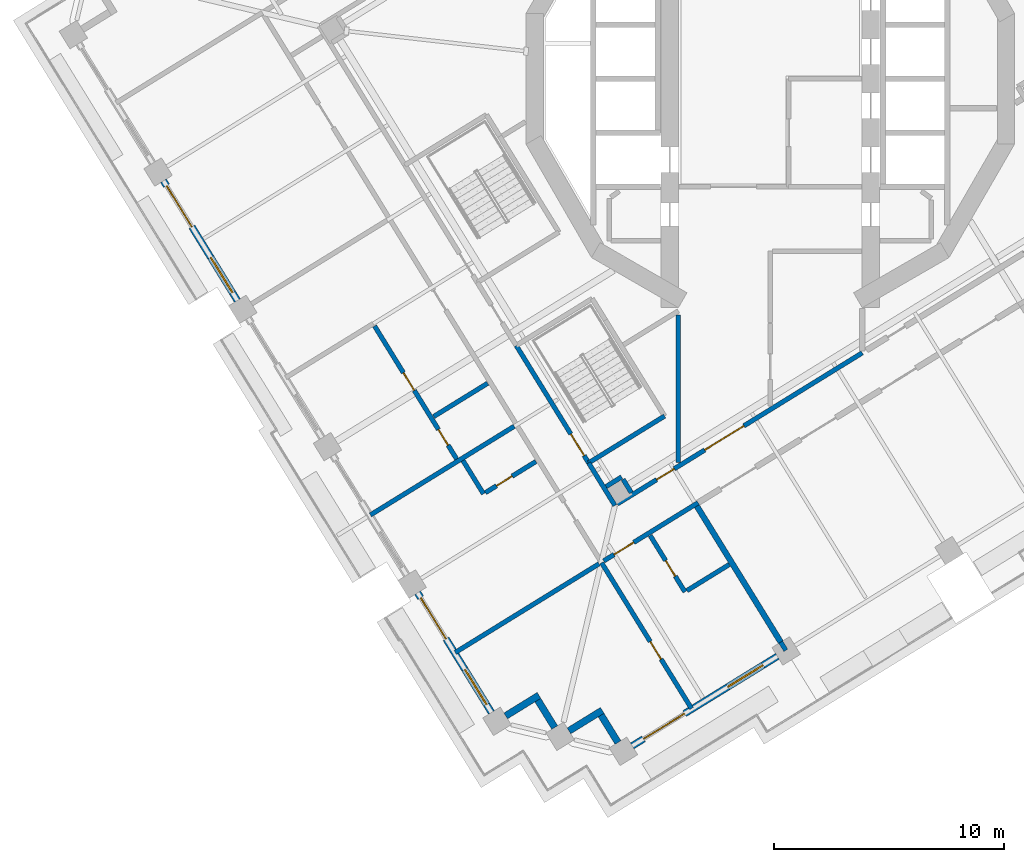
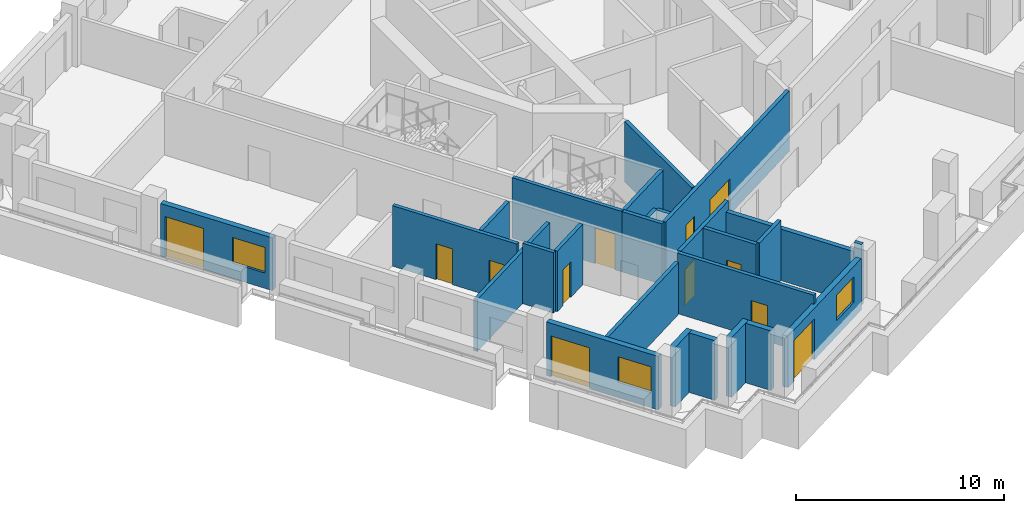
# One storey, part 4 of 21: 26 walls, 12 doors, 3 windows, 15 openings.
"""IFC4 building model written with IfcOpenShell, lengths in metres."""

from ifc_helpers import new_model, si_unit, direction, frame, frame_2d, origin, place, context, subcontext, project, spatial, rectangle, extrude, material, layer, layer_set, type_object, element, fill, save


model = new_model("IFC4")

# Units and contexts
model_context = context("Model", 3, precision=1e-05, world=origin(), true_north=direction((0.0, 1.0)))
body_context = subcontext(model_context, "Body", "Model", "MODEL_VIEW")
ifc_project = project(units=[si_unit("LENGTHUNIT", "METRE"), si_unit("AREAUNIT", "SQUARE_METRE"), si_unit("VOLUMEUNIT", "CUBIC_METRE"), si_unit("PLANEANGLEUNIT", "RADIAN"), si_unit("MASSUNIT", "GRAM", prefix="KILO")], contexts=[model_context])

# Site, building, storey
site_placement = place(None, origin())
site = spatial("IfcSite", under=ifc_project, at=site_placement, CompositionType="ELEMENT")
building_placement = place(site_placement, origin())
building = spatial("IfcBuilding", under=site, at=building_placement, Name="Cantera Rosa Tower", CompositionType="ELEMENT")
storey_placement = place(building_placement, frame((0.0, 0.0, 170.39990234375)))
storey = spatial("IfcBuildingStorey", under=building, at=storey_placement, Name="L37", CompositionType="ELEMENT", Elevation=170.39990234375)

# Wall
ifc_material_1 = material(Name="Gypsum board partition")
ifc_layer_1 = layer(ifc_material_1, 0.199951171875)
ifc_layer_set_1 = layer_set([ifc_layer_1], Name="CORRIDOR WALL 200 H3550")
wall_type_1 = type_object("IfcWallType", Name="CORRIDOR WALL 200 H3550", PredefinedType="PARTITIONING", material=ifc_layer_set_1)
wall_1_placement = place(storey_placement, frame((-7.9033203125, -16.7119140625, 0.0), z_axis=(0.0, 0.0, 1.0), x_axis=(0.525036414636, -0.851079763187, 0.0)))
element("IfcWall", 1, at=wall_1_placement, inside=storey, type_object=wall_type_1, Name="CORRIDOR WALL L37-026", PredefinedType="PARTITIONING", context=body_context, shape_type="SweptSolid", body=[
    extrude(rectangle(XDim=2.17529296875, YDim=0.199951171875, at=frame_2d((1.087646484375, 0.0))), origin(), (0.0, 0.0, 1.0), 3.550048828125),
])

# Wall, opening, door
wall_2_placement = place(storey_placement, frame((-7.246337890625, -20.977294921875, 0.0), z_axis=(0.0, 0.0, 1.0), x_axis=(0.851124523941, 0.524963850894, 0.0)))
wall_2 = element("IfcWall", 2, at=wall_2_placement, inside=storey, type_object=wall_type_1, Name="CORRIDOR WALL L37-035", PredefinedType="PARTITIONING", context=body_context, shape_type="SweptSolid", body=[
    extrude(rectangle(XDim=4.824951171875, YDim=0.199951171875, at=frame_2d((2.41259765625, 0.0))), origin(), (0.0, 0.0, 1.0), 3.550048828125),
])
opening_1_placement = place(wall_2_placement, frame((0.530029296875, 0.0, 0.0)))
opening_1 = element("IfcOpeningElement", 3, at=opening_1_placement, cuts=wall_2, Name="Opening L37-052", PredefinedType="OPENING", context=body_context, shape_type="SweptSolid", body=[
    extrude(rectangle(XDim=1.0, YDim=2.10009765625, at=frame_2d((0.5, 1.050048828125))), frame((0.0, 0.10986328125, 0.0), z_axis=(0.0, -1.0, 0.0), x_axis=(1.0, 0.0, 0.0)), (0.0, 0.0, 1.0), 0.219970703125),
])
ifc_material_2 = material(Name="Timber door leaf", Category="wood")
door_type_1 = type_object("IfcDoorType", Name="ENTRANCE DOOR 1000x2100", OperationType="NOTDEFINED", PredefinedType="DOOR", material=ifc_material_2)
door_1_placement = place(opening_1_placement, origin())
door_1 = element("IfcDoor", 4, at=door_1_placement, inside=storey, type_object=door_type_1, Name="DOOR L37-052", OperationType="NOTDEFINED", OverallHeight=2.10009765625, OverallWidth=1.0, PredefinedType="DOOR", context=body_context, shape_type="SweptSolid", body=[
    extrude(rectangle(XDim=1.0, YDim=2.10009765625, at=frame_2d((0.5, 1.050048828125))), frame((0.0, 0.02490234375, 0.0), z_axis=(0.0, -1.0, 0.0), x_axis=(1.0, 0.0, 0.0)), (0.0, 0.0, 1.0), 0.050048828125),
])
fill(opening_1, door_1)

# Wall, openings, doors
wall_3_placement = place(storey_placement, frame((-6.6591796875, -18.500244140625, 0.0), z_axis=(0.0, 0.0, 1.0), x_axis=(0.851115705413, 0.524978148116, 0.0)))
wall_3 = element("IfcWall", 5, at=wall_3_placement, inside=storey, type_object=wall_type_1, Name="CORRIDOR WALL L37-041", PredefinedType="PARTITIONING", context=body_context, shape_type="SweptSolid", body=[
    extrude(rectangle(XDim=12.523681640625, YDim=0.199951171875, at=frame_2d((6.26171875, 0.0))), origin(), (0.0, 0.0, 1.0), 3.550048828125),
])
opening_2_placement = place(wall_3_placement, frame((2.01513671875, 0.0, 0.0)))
opening_2 = element("IfcOpeningElement", 6, at=opening_2_placement, cuts=wall_3, Name="Opening L37-008", PredefinedType="OPENING", context=body_context, shape_type="SweptSolid", body=[
    extrude(rectangle(XDim=0.89990234375, YDim=2.10009765625, at=frame_2d((0.449951171875, 1.050048828125))), frame((0.0, 0.10986328125, 0.0), z_axis=(0.0, -1.0, 0.0), x_axis=(1.0, 0.0, 0.0)), (0.0, 0.0, 1.0), 0.219970703125),
])
opening_3_placement = place(wall_3_placement, frame((4.47412109375, 0.0, 0.0)))
opening_3 = element("IfcOpeningElement", 7, at=opening_3_placement, cuts=wall_3, Name="Opening L37-013", PredefinedType="OPENING", context=body_context, shape_type="SweptSolid", body=[
    extrude(rectangle(XDim=2.0, YDim=2.10009765625, at=frame_2d((1.0, 1.050048828125))), frame((0.0, 0.10986328125, 0.0), z_axis=(0.0, -1.0, 0.0), x_axis=(1.0, 0.0, 0.0)), (0.0, 0.0, 1.0), 0.219970703125),
])
ifc_material_3 = material(Name="Steel S355J2 (EN 10025-2)", Category="steel")
door_type_2 = type_object("IfcDoorType", Name="LOBBY SCREEN DOOR 2000x2100", OperationType="NOTDEFINED", PredefinedType="DOOR", material=ifc_material_3)
door_2_placement = place(opening_3_placement, origin())
door_2 = element("IfcDoor", 8, at=door_2_placement, inside=storey, type_object=door_type_2, Name="DOOR L37-013", OperationType="NOTDEFINED", OverallHeight=2.10009765625, OverallWidth=2.0, PredefinedType="DOOR", context=body_context, shape_type="SweptSolid", body=[
    extrude(rectangle(XDim=2.0, YDim=2.10009765625, at=frame_2d((1.0, 1.050048828125))), frame((0.0, 0.02490234375, 0.0), z_axis=(0.0, -1.0, 0.0), x_axis=(1.0, 0.0, 0.0)), (0.0, 0.0, 1.0), 0.050048828125),
])
fill(opening_3, door_2)
ifc_material_4 = material(Name="Timber door leaf", Category="wood")
door_type_3 = type_object("IfcDoorType", Name="SERVICE DOOR 900x2100", OperationType="NOTDEFINED", PredefinedType="DOOR", material=ifc_material_4)
door_3_placement = place(opening_2_placement, origin())
door_3 = element("IfcDoor", 9, at=door_3_placement, inside=storey, type_object=door_type_3, Name="DOOR L37-008", OperationType="NOTDEFINED", OverallHeight=2.10009765625, OverallWidth=0.89990234375, PredefinedType="DOOR", context=body_context, shape_type="SweptSolid", body=[
    extrude(rectangle(XDim=0.89990234375, YDim=2.10009765625, at=frame_2d((0.449951171875, 1.050048828125))), frame((0.0, 0.02490234375, 0.0), z_axis=(0.0, -1.0, 0.0), x_axis=(1.0, 0.0, 0.0)), (0.0, 0.0, 1.0), 0.050048828125),
])
fill(opening_2, door_3)

# Walls
wall_4_placement = place(storey_placement, frame((-4.0, -10.274169921875, 0.0), z_axis=(0.0, 0.0, 1.0), x_axis=(0.0, -1.0, 0.0)))
element("IfcWall", 10, at=wall_4_placement, inside=storey, type_object=wall_type_1, Name="CORRIDOR WALL L37-052", PredefinedType="PARTITIONING", context=body_context, shape_type="SweptSolid", body=[
    extrude(rectangle(XDim=6.426025390625, YDim=0.199951171875, at=frame_2d((3.212890625, 0.0))), origin(), (0.0, 0.0, 1.0), 3.550048828125),
])
ifc_material_5 = material(Name="Hollow clay masonry with cantera stone cladding", Category="masonry")
ifc_layer_2 = layer(ifc_material_5, 0.300048828125)
ifc_layer_set_2 = layer_set([ifc_layer_2], Name="EW-LOGGIA 300")
wall_type_2 = type_object("IfcWallType", Name="EW-LOGGIA 300", PredefinedType="SOLIDWALL", material=ifc_layer_set_2)
wall_5_placement = place(storey_placement, frame((-11.51123046875, -27.72021484375, 0.0), z_axis=(0.0, 0.0, 1.0), x_axis=(0.851130227454, 0.524954603669, 0.0)))
element("IfcWall", 11, at=wall_5_placement, inside=storey, type_object=wall_type_2, Name="EN-L37-W20a", PredefinedType="SOLIDWALL", context=body_context, shape_type="SweptSolid", body=[
    extrude(rectangle(XDim=1.699951171875, YDim=0.300048828125, at=frame_2d((0.85009765625, 0.0))), origin(), (0.0, 0.0, 1.0), 3.5),
])
wall_6_placement = place(storey_placement, frame((-10.11328125, -27.0341796875, 0.0), z_axis=(0.0, 0.0, 1.0), x_axis=(0.524895019961, -0.85116697423, 0.0)))
element("IfcWall", 12, at=wall_6_placement, inside=storey, type_object=wall_type_2, Name="EN-L37-W20b", PredefinedType="SOLIDWALL", context=body_context, shape_type="SweptSolid", body=[
    extrude(rectangle(XDim=1.39990234375, YDim=0.300048828125, at=frame_2d((0.699951171875, 0.0))), origin(), (0.0, 0.0, 1.0), 3.5),
])
wall_7_placement = place(storey_placement, frame((-8.75927734375, -28.37255859375, 0.0), z_axis=(0.0, 0.0, 1.0), x_axis=(0.851105638601, 0.524994468487, 0.0)))
element("IfcWall", 13, at=wall_7_placement, inside=storey, type_object=wall_type_2, Name="EN-L37-W21a", PredefinedType="SOLIDWALL", context=body_context, shape_type="SweptSolid", body=[
    extrude(rectangle(XDim=1.7001953125, YDim=0.300048828125, at=frame_2d((0.85009765625, 0.0))), origin(), (0.0, 0.0, 1.0), 3.5),
])
wall_8_placement = place(storey_placement, frame((-7.361083984375, -27.6865234375, 0.0), z_axis=(0.0, 0.0, 1.0), x_axis=(0.524895019961, -0.85116697423, 0.0)))
element("IfcWall", 14, at=wall_8_placement, inside=storey, type_object=wall_type_2, Name="EN-L37-W21b", PredefinedType="SOLIDWALL", context=body_context, shape_type="SweptSolid", body=[
    extrude(rectangle(XDim=1.39990234375, YDim=0.300048828125, at=frame_2d((0.699951171875, 0.0))), origin(), (0.0, 0.0, 1.0), 3.5),
])

# Wall, openings, window, door
ifc_material_6 = material(Name="Hollow clay masonry with cantera stone cladding", Category="masonry")
ifc_layer_3 = layer(ifc_material_6, 0.300048828125)
ifc_layer_set_3 = layer_set([ifc_layer_3], Name="EW-LOGGIA 300 H3020")
wall_type_3 = type_object("IfcWallType", Name="EW-LOGGIA 300 H3020", PredefinedType="SOLIDWALL", material=ifc_layer_set_3)
wall_9_placement = place(storey_placement, frame((-6.007080078125, -29.02490234375, 0.0), z_axis=(0.0, 0.0, 1.0), x_axis=(0.851111085575, 0.524985637909, 0.0)))
wall_9 = element("IfcWall", 15, at=wall_9_placement, inside=storey, type_object=wall_type_3, Name="EN-L37-W22", PredefinedType="SOLIDWALL", context=body_context, shape_type="SweptSolid", body=[
    extrude(rectangle(XDim=7.420166015625, YDim=0.300048828125, at=frame_2d((3.7099609375, 0.0))), origin(), (0.0, 0.0, 1.0), 3.02001953125),
])
opening_4_placement = place(wall_9_placement, frame((0.580078125, 0.0, 0.0)))
opening_4 = element("IfcOpeningElement", 16, at=opening_4_placement, cuts=wall_9, Name="Opening L37-TD31", PredefinedType="OPENING", context=body_context, shape_type="SweptSolid", body=[
    extrude(rectangle(XDim=2.10009765625, YDim=2.39990234375, at=frame_2d((1.050048828125, 1.199951171875))), frame((0.0, 0.159912109375, 0.0), z_axis=(0.0, -1.0, 0.0), x_axis=(1.0, 0.0, 0.0)), (0.0, 0.0, 1.0), 0.320068359375),
])
opening_5_placement = place(wall_9_placement, frame((4.889892578125, 0.0, 0.89990234375)))
opening_5 = element("IfcOpeningElement", 17, at=opening_5_placement, cuts=wall_9, Name="Opening L37-W32", PredefinedType="OPENING", context=body_context, shape_type="SweptSolid", body=[
    extrude(rectangle(XDim=1.800048828125, YDim=1.5, at=frame_2d((0.89990234375, 0.75))), frame((0.0, 0.159912109375, 0.0), z_axis=(0.0, -1.0, 0.0), x_axis=(1.0, 0.0, 0.0)), (0.0, 0.0, 1.0), 0.320068359375),
])
ifc_material_7 = material(Name="Aluminium frame with clear glass", Category="aluminium")
window_type = type_object("IfcWindowType", Name="Hotel room window 1800x1500", PartitioningType="DOUBLE_PANEL_VERTICAL", PredefinedType="WINDOW", material=ifc_material_7)
window_1_placement = place(opening_5_placement, origin())
window_1 = element("IfcWindow", 18, at=window_1_placement, inside=storey, type_object=window_type, Name="WINDOW L37-W32", OverallHeight=1.5, OverallWidth=1.800048828125, PartitioningType="SINGLE_PANEL", PredefinedType="WINDOW", context=body_context, shape_type="SweptSolid", body=[
    extrude(rectangle(XDim=1.800048828125, YDim=1.5, at=frame_2d((0.89990234375, 0.75))), frame((0.0, 0.030029296875, 0.0), z_axis=(0.0, -1.0, 0.0), x_axis=(1.0, 0.0, 0.0)), (0.0, 0.0, 1.0), 0.06005859375),
])
fill(opening_5, window_1)
ifc_material_8 = material(Name="Aluminium frame with clear glass", Category="aluminium")
door_type_4 = type_object("IfcDoorType", Name="TD-H 2100x2400", OperationType="NOTDEFINED", PredefinedType="DOOR", material=ifc_material_8)
door_4_placement = place(opening_4_placement, origin())
door_4 = element("IfcDoor", 19, at=door_4_placement, inside=storey, type_object=door_type_4, Name="LOGGIA DOOR L37-TD31", OperationType="SLIDING_TO_LEFT", OverallHeight=2.39990234375, OverallWidth=2.10009765625, PredefinedType="DOOR", context=body_context, shape_type="SweptSolid", body=[
    extrude(rectangle(XDim=2.10009765625, YDim=2.39990234375, at=frame_2d((1.050048828125, 1.199951171875))), frame((0.0, 0.02490234375, 0.0), z_axis=(0.0, -1.0, 0.0), x_axis=(1.0, 0.0, 0.0)), (0.0, 0.0, 1.0), 0.050048828125),
])
fill(opening_4, door_4)

ifc_material_9 = material(Name="Hollow clay masonry with cantera stone cladding", Category="masonry")
ifc_layer_4 = layer(ifc_material_9, 0.300048828125)
ifc_layer_set_4 = layer_set([ifc_layer_4], Name="EW-LOGGIA 300 H3090")
wall_type_4 = type_object("IfcWallType", Name="EW-LOGGIA 300 H3090", PredefinedType="SOLIDWALL", material=ifc_layer_set_4)
wall_10_placement = place(storey_placement, frame((-26.3994140625, -4.440185546875, 0.0), z_axis=(0.0, 0.0, 1.0), x_axis=(0.524987447654, -0.851109969279, 0.0)))
wall_10 = element("IfcWall", 20, at=wall_10_placement, inside=storey, type_object=wall_type_4, Name="EN-L37-W16", PredefinedType="SOLIDWALL", context=body_context, shape_type="SweptSolid", body=[
    extrude(rectangle(XDim=6.119873046875, YDim=0.300048828125, at=frame_2d((3.06005859375, 0.0))), origin(), (0.0, 0.0, 1.0), 3.090087890625),
])
opening_6_placement = place(wall_10_placement, frame((0.2548828125, 0.0, 0.0)))
opening_6 = element("IfcOpeningElement", 21, at=opening_6_placement, cuts=wall_10, Name="Opening L37-TD23", PredefinedType="OPENING", context=body_context, shape_type="SweptSolid", body=[
    extrude(rectangle(XDim=2.10009765625, YDim=2.39990234375, at=frame_2d((1.050048828125, 1.199951171875))), frame((0.0, 0.159912109375, 0.0), z_axis=(0.0, -1.0, 0.0), x_axis=(1.0, 0.0, 0.0)), (0.0, 0.0, 1.0), 0.320068359375),
])
opening_7_placement = place(wall_10_placement, frame((3.9150390625, 0.0, 0.89990234375)))
opening_7 = element("IfcOpeningElement", 22, at=opening_7_placement, cuts=wall_10, Name="Opening L37-W24", PredefinedType="OPENING", context=body_context, shape_type="SweptSolid", body=[
    extrude(rectangle(XDim=1.800048828125, YDim=1.5, at=frame_2d((0.89990234375, 0.75))), frame((0.0, 0.159912109375, 0.0), z_axis=(0.0, -1.0, 0.0), x_axis=(1.0, 0.0, 0.0)), (0.0, 0.0, 1.0), 0.320068359375),
])
window_2_placement = place(opening_7_placement, origin())
window_2 = element("IfcWindow", 23, at=window_2_placement, inside=storey, type_object=window_type, Name="WINDOW L37-W24", OverallHeight=1.5, OverallWidth=1.800048828125, PartitioningType="SINGLE_PANEL", PredefinedType="WINDOW", context=body_context, shape_type="SweptSolid", body=[
    extrude(rectangle(XDim=1.800048828125, YDim=1.5, at=frame_2d((0.89990234375, 0.75))), frame((0.0, 0.030029296875, 0.0), z_axis=(0.0, -1.0, 0.0), x_axis=(1.0, 0.0, 0.0)), (0.0, 0.0, 1.0), 0.06005859375),
])
fill(opening_7, window_2)
door_5_placement = place(opening_6_placement, origin())
door_5 = element("IfcDoor", 24, at=door_5_placement, inside=storey, type_object=door_type_4, Name="LOGGIA DOOR L37-TD23", OperationType="SLIDING_TO_LEFT", OverallHeight=2.39990234375, OverallWidth=2.10009765625, PredefinedType="DOOR", context=body_context, shape_type="SweptSolid", body=[
    extrude(rectangle(XDim=2.10009765625, YDim=2.39990234375, at=frame_2d((1.050048828125, 1.199951171875))), frame((0.0, 0.02490234375, 0.0), z_axis=(0.0, -1.0, 0.0), x_axis=(1.0, 0.0, 0.0)), (0.0, 0.0, 1.0), 0.050048828125),
])
fill(opening_6, door_5)

ifc_material_10 = material(Name="Hollow clay masonry with cantera stone cladding", Category="masonry")
ifc_layer_5 = layer(ifc_material_10, 0.300048828125)
ifc_layer_set_5 = layer_set([ifc_layer_5], Name="EW-LOGGIA 300 H3140")
wall_type_5 = type_object("IfcWallType", Name="EW-LOGGIA 300 H3140", PredefinedType="SOLIDWALL", material=ifc_layer_set_5)
wall_11_placement = place(storey_placement, frame((-15.343505859375, -22.36474609375, 0.0), z_axis=(0.0, 0.0, 1.0), x_axis=(0.524987447654, -0.851109969279, 0.0)))
wall_11 = element("IfcWall", 25, at=wall_11_placement, inside=storey, type_object=wall_type_5, Name="EN-L37-W19", PredefinedType="SOLIDWALL", context=body_context, shape_type="SweptSolid", body=[
    extrude(rectangle(XDim=6.119873046875, YDim=0.300048828125, at=frame_2d((3.06005859375, 0.0))), origin(), (0.0, 0.0, 1.0), 3.14013671875),
])
opening_8_placement = place(wall_11_placement, frame((0.2548828125, 0.0, 0.0)))
opening_8 = element("IfcOpeningElement", 26, at=opening_8_placement, cuts=wall_11, Name="Opening L37-TD29", PredefinedType="OPENING", context=body_context, shape_type="SweptSolid", body=[
    extrude(rectangle(XDim=2.10009765625, YDim=2.39990234375, at=frame_2d((1.050048828125, 1.199951171875))), frame((0.0, 0.159912109375, 0.0), z_axis=(0.0, -1.0, 0.0), x_axis=(1.0, 0.0, 0.0)), (0.0, 0.0, 1.0), 0.320068359375),
])
opening_9_placement = place(wall_11_placement, frame((3.9150390625, 0.0, 0.89990234375)))
opening_9 = element("IfcOpeningElement", 27, at=opening_9_placement, cuts=wall_11, Name="Opening L37-W30", PredefinedType="OPENING", context=body_context, shape_type="SweptSolid", body=[
    extrude(rectangle(XDim=1.800048828125, YDim=1.5, at=frame_2d((0.89990234375, 0.75))), frame((0.0, 0.159912109375, 0.0), z_axis=(0.0, -1.0, 0.0), x_axis=(1.0, 0.0, 0.0)), (0.0, 0.0, 1.0), 0.320068359375),
])
window_3_placement = place(opening_9_placement, origin())
window_3 = element("IfcWindow", 28, at=window_3_placement, inside=storey, type_object=window_type, Name="WINDOW L37-W30", OverallHeight=1.5, OverallWidth=1.800048828125, PartitioningType="SINGLE_PANEL", PredefinedType="WINDOW", context=body_context, shape_type="SweptSolid", body=[
    extrude(rectangle(XDim=1.800048828125, YDim=1.5, at=frame_2d((0.89990234375, 0.75))), frame((0.0, 0.030029296875, 0.0), z_axis=(0.0, -1.0, 0.0), x_axis=(1.0, 0.0, 0.0)), (0.0, 0.0, 1.0), 0.06005859375),
])
fill(opening_9, window_3)
door_6_placement = place(opening_8_placement, origin())
door_6 = element("IfcDoor", 29, at=door_6_placement, inside=storey, type_object=door_type_4, Name="LOGGIA DOOR L37-TD29", OperationType="SLIDING_TO_LEFT", OverallHeight=2.39990234375, OverallWidth=2.10009765625, PredefinedType="DOOR", context=body_context, shape_type="SweptSolid", body=[
    extrude(rectangle(XDim=2.10009765625, YDim=2.39990234375, at=frame_2d((1.050048828125, 1.199951171875))), frame((0.0, 0.02490234375, 0.0), z_axis=(0.0, -1.0, 0.0), x_axis=(1.0, 0.0, 0.0)), (0.0, 0.0, 1.0), 0.050048828125),
])
fill(opening_8, door_6)

# Wall
ifc_material_11 = material(Name="Concrete C40/50", Category="concrete")
ifc_layer_6 = layer(ifc_material_11, 0.25)
ifc_layer_set_6 = layer_set([ifc_layer_6], Name="EW-POCKET CHEEK 250 H3020")
wall_type_6 = type_object("IfcWallType", Name="EW-POCKET CHEEK 250 H3020", PredefinedType="SOLIDWALL", material=ifc_layer_set_6)
wall_12_placement = place(storey_placement, frame((0.455078125, -24.51025390625, 0.0), z_axis=(0.0, 0.0, 1.0), x_axis=(-0.524984984735, 0.851111488468, 0.0)))
element("IfcWall", 30, at=wall_12_placement, inside=storey, type_object=wall_type_6, Name="POCKET CHEEK A L37", PredefinedType="SOLIDWALL", context=body_context, shape_type="SweptSolid", body=[
    extrude(rectangle(XDim=6.949951171875, YDim=0.25, at=frame_2d((3.47509765625, 0.0))), origin(), (0.0, 0.0, 1.0), 3.02001953125),
])

# Wall, openings, doors
ifc_material_12 = material(Name="Gypsum board partition")
ifc_layer_7 = layer(ifc_material_12, 0.199951171875)
ifc_layer_set_7 = layer_set([ifc_layer_7], Name="PARTITION 200 H3550")
wall_type_7 = type_object("IfcWallType", Name="PARTITION 200 H3550", PredefinedType="PARTITIONING", material=ifc_layer_set_7)
wall_13_placement = place(storey_placement, frame((-17.214599609375, -10.75927734375, 0.0), z_axis=(0.0, 0.0, 1.0), x_axis=(0.524974538192, -0.851117932046, 0.0)))
wall_13 = element("IfcWall", 31, at=wall_13_placement, inside=storey, type_object=wall_type_7, Name="PARTITION L37-011", PredefinedType="PARTITIONING", context=body_context, shape_type="SweptSolid", body=[
    extrude(rectangle(XDim=6.800048828125, YDim=0.199951171875, at=frame_2d((3.39990234375, 0.0))), origin(), (0.0, 0.0, 1.0), 3.550048828125),
])
opening_10_placement = place(wall_13_placement, frame((2.389892578125, 0.0, 0.0)))
opening_10 = element("IfcOpeningElement", 32, at=opening_10_placement, cuts=wall_13, Name="Opening L37-045", PredefinedType="OPENING", context=body_context, shape_type="SweptSolid", body=[
    extrude(rectangle(XDim=0.89990234375, YDim=2.10009765625, at=frame_2d((0.449951171875, 1.050048828125))), frame((0.0, 0.10986328125, 0.0), z_axis=(0.0, -1.0, 0.0), x_axis=(1.0, 0.0, 0.0)), (0.0, 0.0, 1.0), 0.219970703125),
])
opening_11_placement = place(wall_13_placement, frame((5.2900390625, 0.0, 0.0)))
opening_11 = element("IfcOpeningElement", 33, at=opening_11_placement, cuts=wall_13, Name="Opening L37-046", PredefinedType="OPENING", context=body_context, shape_type="SweptSolid", body=[
    extrude(rectangle(XDim=0.800048828125, YDim=2.10009765625, at=frame_2d((0.39990234375, 1.050048828125))), frame((0.0, 0.10986328125, 0.0), z_axis=(0.0, -1.0, 0.0), x_axis=(1.0, 0.0, 0.0)), (0.0, 0.0, 1.0), 0.219970703125),
])
ifc_material_13 = material(Name="Timber door leaf", Category="wood")
door_type_5 = type_object("IfcDoorType", Name="BATHROOM DOOR 800x2100", OperationType="NOTDEFINED", PredefinedType="DOOR", material=ifc_material_13)
door_7_placement = place(opening_11_placement, origin())
door_7 = element("IfcDoor", 34, at=door_7_placement, inside=storey, type_object=door_type_5, Name="DOOR L37-046", OperationType="NOTDEFINED", OverallHeight=2.10009765625, OverallWidth=0.800048828125, PredefinedType="DOOR", context=body_context, shape_type="SweptSolid", body=[
    extrude(rectangle(XDim=0.800048828125, YDim=2.10009765625, at=frame_2d((0.39990234375, 1.050048828125))), frame((0.0, 0.02490234375, 0.0), z_axis=(0.0, -1.0, 0.0), x_axis=(1.0, 0.0, 0.0)), (0.0, 0.0, 1.0), 0.050048828125),
])
fill(opening_11, door_7)
ifc_material_14 = material(Name="Timber door leaf", Category="wood")
door_type_6 = type_object("IfcDoorType", Name="ROOM DOOR 900x2100", OperationType="NOTDEFINED", PredefinedType="DOOR", material=ifc_material_14)
door_8_placement = place(opening_10_placement, origin())
door_8 = element("IfcDoor", 35, at=door_8_placement, inside=storey, type_object=door_type_6, Name="DOOR L37-045", OperationType="NOTDEFINED", OverallHeight=2.10009765625, OverallWidth=0.89990234375, PredefinedType="DOOR", context=body_context, shape_type="SweptSolid", body=[
    extrude(rectangle(XDim=0.89990234375, YDim=2.10009765625, at=frame_2d((0.449951171875, 1.050048828125))), frame((0.0, 0.02490234375, 0.0), z_axis=(0.0, -1.0, 0.0), x_axis=(1.0, 0.0, 0.0)), (0.0, 0.0, 1.0), 0.050048828125),
])
fill(opening_10, door_8)

# Walls
wall_14_placement = place(storey_placement, frame((-14.64501953125, -14.6962890625, 0.0), z_axis=(0.0, 0.0, 1.0), x_axis=(0.851129367012, 0.524955998737, 0.0)))
element("IfcWall", 36, at=wall_14_placement, inside=storey, type_object=wall_type_7, Name="PARTITION L37-014", PredefinedType="PARTITIONING", context=body_context, shape_type="SweptSolid", body=[
    extrude(rectangle(XDim=2.759765625, YDim=0.199951171875, at=frame_2d((1.3798828125, 0.0))), origin(), (0.0, 0.0, 1.0), 3.550048828125),
])
wall_15_placement = place(storey_placement, frame((-12.477294921875, -18.058837890625, 0.0), z_axis=(0.0, 0.0, 1.0), x_axis=(-0.524954603669, 0.851130227454, 0.0)))
element("IfcWall", 37, at=wall_15_placement, inside=storey, type_object=wall_type_7, Name="PARTITION L37-018", PredefinedType="PARTITIONING", context=body_context, shape_type="SweptSolid", body=[
    extrude(rectangle(XDim=1.699951171875, YDim=0.199951171875, at=frame_2d((0.85009765625, 0.0))), origin(), (0.0, 0.0, 1.0), 3.550048828125),
])

# Wall, opening, door
wall_16_placement = place(storey_placement, frame((-10.1962890625, -16.65185546875, 0.0), z_axis=(0.0, 0.0, 1.0), x_axis=(-0.851098989685, -0.525005247362, 0.0)))
wall_16 = element("IfcWall", 38, at=wall_16_placement, inside=storey, type_object=wall_type_7, Name="PARTITION L37-024", PredefinedType="PARTITIONING", context=body_context, shape_type="SweptSolid", body=[
    extrude(rectangle(XDim=2.580078125, YDim=0.199951171875, at=frame_2d((1.2900390625, 0.0))), origin(), (0.0, 0.0, 1.0), 3.550048828125),
])
opening_12_placement = place(wall_16_placement, frame((1.216064453125, 0.0, 0.0)))
opening_12 = element("IfcOpeningElement", 39, at=opening_12_placement, cuts=wall_16, Name="Opening L37-048", PredefinedType="OPENING", context=body_context, shape_type="SweptSolid", body=[
    extrude(rectangle(XDim=0.800048828125, YDim=2.10009765625, at=frame_2d((0.39990234375, 1.050048828125))), frame((0.0, 0.10986328125, 0.0), z_axis=(0.0, -1.0, 0.0), x_axis=(1.0, 0.0, 0.0)), (0.0, 0.0, 1.0), 0.219970703125),
])
door_9_placement = place(opening_12_placement, origin())
door_9 = element("IfcDoor", 40, at=door_9_placement, inside=storey, type_object=door_type_5, Name="DOOR L37-048", OperationType="NOTDEFINED", OverallHeight=2.10009765625, OverallWidth=0.800048828125, PredefinedType="DOOR", context=body_context, shape_type="SweptSolid", body=[
    extrude(rectangle(XDim=0.800048828125, YDim=2.10009765625, at=frame_2d((0.39990234375, 1.050048828125))), frame((0.0, 0.02490234375, 0.0), z_axis=(0.0, -1.0, 0.0), x_axis=(1.0, 0.0, 0.0)), (0.0, 0.0, 1.0), 0.050048828125),
])
fill(opening_12, door_9)

wall_17_placement = place(storey_placement, frame((-7.337890625, -21.057373046875, 0.0), z_axis=(0.0, 0.0, 1.0), x_axis=(0.524982084645, -0.851113277303, 0.0)))
wall_17 = element("IfcWall", 41, at=wall_17_placement, inside=storey, type_object=wall_type_7, Name="PARTITION L37-034", PredefinedType="PARTITIONING", context=body_context, shape_type="SweptSolid", body=[
    extrude(rectangle(XDim=7.449951171875, YDim=0.199951171875, at=frame_2d((3.72509765625, 0.0))), origin(), (0.0, 0.0, 1.0), 3.550048828125),
])
opening_13_placement = place(wall_17_placement, frame((4.030029296875, 0.0, 0.0)))
opening_13 = element("IfcOpeningElement", 42, at=opening_13_placement, cuts=wall_17, Name="Opening L37-054", PredefinedType="OPENING", context=body_context, shape_type="SweptSolid", body=[
    extrude(rectangle(XDim=0.89990234375, YDim=2.10009765625, at=frame_2d((0.449951171875, 1.050048828125))), frame((0.0, 0.10986328125, 0.0), z_axis=(0.0, -1.0, 0.0), x_axis=(1.0, 0.0, 0.0)), (0.0, 0.0, 1.0), 0.219970703125),
])
door_10_placement = place(opening_13_placement, origin())
door_10 = element("IfcDoor", 43, at=door_10_placement, inside=storey, type_object=door_type_6, Name="DOOR L37-054", OperationType="NOTDEFINED", OverallHeight=2.10009765625, OverallWidth=0.89990234375, PredefinedType="DOOR", context=body_context, shape_type="SweptSolid", body=[
    extrude(rectangle(XDim=0.89990234375, YDim=2.10009765625, at=frame_2d((0.449951171875, 1.050048828125))), frame((0.0, 0.02490234375, 0.0), z_axis=(0.0, -1.0, 0.0), x_axis=(1.0, 0.0, 0.0)), (0.0, 0.0, 1.0), 0.050048828125),
])
fill(opening_13, door_10)

# Walls
wall_18_placement = place(storey_placement, frame((-6.4677734375, -17.32470703125, 0.0), z_axis=(0.0, 0.0, 1.0), x_axis=(-0.85101860469, -0.525135539144, 0.0)))
element("IfcWall", 44, at=wall_18_placement, inside=storey, type_object=wall_type_7, Name="PARTITION L37-042", PredefinedType="PARTITIONING", context=body_context, shape_type="SweptSolid", body=[
    extrude(rectangle(XDim=0.800048828125, YDim=0.199951171875, at=frame_2d((0.39990234375, 0.0))), origin(), (0.0, 0.0, 1.0), 3.550048828125),
])
wall_19_placement = place(storey_placement, frame((-6.0478515625, -18.005615234375, 0.0), z_axis=(0.0, 0.0, 1.0), x_axis=(-0.525018782991, 0.851090640006, 0.0)))
element("IfcWall", 45, at=wall_19_placement, inside=storey, type_object=wall_type_7, Name="PARTITION L37-044", PredefinedType="PARTITIONING", context=body_context, shape_type="SweptSolid", body=[
    extrude(rectangle(XDim=0.679931640625, YDim=0.199951171875, at=frame_2d((0.33984375, 0.0))), origin(), (0.0, 0.0, 1.0), 3.550048828125),
])

# Wall, opening, door
wall_20_placement = place(storey_placement, frame((-3.7138671875, -22.3232421875, 0.0), z_axis=(0.0, 0.0, 1.0), x_axis=(-0.524929648476, 0.851145618652, 0.0)))
wall_20 = element("IfcWall", 46, at=wall_20_placement, inside=storey, type_object=wall_type_7, Name="PARTITION L37-056", PredefinedType="PARTITIONING", context=body_context, shape_type="SweptSolid", body=[
    extrude(rectangle(XDim=2.8798828125, YDim=0.199951171875, at=frame_2d((1.43994140625, 0.0))), origin(), (0.0, 0.0, 1.0), 3.550048828125),
])
opening_14_placement = place(wall_20_placement, frame((0.800048828125, 0.0, 0.0)))
opening_14 = element("IfcOpeningElement", 47, at=opening_14_placement, cuts=wall_20, Name="Opening L37-053", PredefinedType="OPENING", context=body_context, shape_type="SweptSolid", body=[
    extrude(rectangle(XDim=0.800048828125, YDim=2.10009765625, at=frame_2d((0.39990234375, 1.050048828125))), frame((0.0, 0.10986328125, 0.0), z_axis=(0.0, -1.0, 0.0), x_axis=(1.0, 0.0, 0.0)), (0.0, 0.0, 1.0), 0.219970703125),
])
door_11_placement = place(opening_14_placement, origin())
door_11 = element("IfcDoor", 48, at=door_11_placement, inside=storey, type_object=door_type_5, Name="DOOR L37-053", OperationType="NOTDEFINED", OverallHeight=2.10009765625, OverallWidth=0.800048828125, PredefinedType="DOOR", context=body_context, shape_type="SweptSolid", body=[
    extrude(rectangle(XDim=0.800048828125, YDim=2.10009765625, at=frame_2d((0.39990234375, 1.050048828125))), frame((0.0, 0.02490234375, 0.0), z_axis=(0.0, -1.0, 0.0), x_axis=(1.0, 0.0, 0.0)), (0.0, 0.0, 1.0), 0.050048828125),
])
fill(opening_14, door_11)

# Walls
wall_21_placement = place(storey_placement, frame((-1.785888671875, -21.134033203125, 0.0), z_axis=(0.0, 0.0, 1.0), x_axis=(-0.851100334152, -0.525003067807, 0.0)))
element("IfcWall", 49, at=wall_21_placement, inside=storey, type_object=wall_type_7, Name="PARTITION L37-059", PredefinedType="PARTITIONING", context=body_context, shape_type="SweptSolid", body=[
    extrude(rectangle(XDim=2.165283203125, YDim=0.199951171875, at=frame_2d((1.08251953125, 0.0))), origin(), (0.0, 0.0, 1.0), 3.550048828125),
])
ifc_material_15 = material(Name="Gypsum board partition")
ifc_layer_8 = layer(ifc_material_15, 0.199951171875)
ifc_layer_set_8 = layer_set([ifc_layer_8], Name="PARTY WALL 200 H3050")
wall_type_8 = type_object("IfcWallType", Name="PARTY WALL 200 H3050", PredefinedType="PARTITIONING", material=ifc_layer_set_8)
wall_22_placement = place(storey_placement, frame((-13.706298828125, -24.9619140625, 0.0), z_axis=(0.0, 0.0, 1.0), x_axis=(0.851118431638, 0.524973728225, 0.0)))
element("IfcWall", 50, at=wall_22_placement, inside=storey, type_object=wall_type_8, Name="PARTY WALL L37-015", PredefinedType="PARTITIONING", context=body_context, shape_type="SweptSolid", body=[
    extrude(rectangle(XDim=7.35009765625, YDim=0.199951171875, at=frame_2d((3.675048828125, 0.0))), origin(), (0.0, 0.0, 1.0), 3.050048828125),
])
wall_23_placement = place(storey_placement, frame((-11.14111328125, -15.119873046875, 0.0), z_axis=(0.0, 0.0, 1.0), x_axis=(-0.851109277096, -0.52498856982, 0.0)))
element("IfcWall", 51, at=wall_23_placement, inside=storey, type_object=wall_type_8, Name="PARTY WALL L37-021", PredefinedType="PARTITIONING", context=body_context, shape_type="SweptSolid", body=[
    extrude(rectangle(XDim=7.349853515625, YDim=0.199951171875, at=frame_2d((3.6748046875, 0.0))), origin(), (0.0, 0.0, 1.0), 3.050048828125),
])
ifc_material_16 = material(Name="Gypsum board partition")
ifc_layer_9 = layer(ifc_material_16, 0.199951171875)
ifc_layer_set_9 = layer_set([ifc_layer_9], Name="PARTY WALL 200 H3550")
wall_type_9 = type_object("IfcWallType", Name="PARTY WALL 200 H3550", PredefinedType="PARTITIONING", material=ifc_layer_set_9)
wall_24_placement = place(storey_placement, frame((0.455078125, -24.51025390625, 0.0), z_axis=(0.0, 0.0, 1.0), x_axis=(0.524972939322, -0.851118918236, 0.0)))
element("IfcWall", 52, at=wall_24_placement, inside=storey, type_object=wall_type_9, Name="PARTY WALL L37-057", PredefinedType="PARTITIONING", context=body_context, shape_type="SweptSolid", body=[
    extrude(rectangle(XDim=0.419921875, YDim=0.199951171875, at=frame_2d((0.2099609375, 0.0))), origin(), (0.0, 0.0, 1.0), 3.550048828125),
])

# Wall, opening, door
ifc_material_17 = material(Name="Concrete C50/60", Category="concrete")
ifc_layer_10 = layer(ifc_material_17, 0.199951171875)
ifc_layer_set_10 = layer_set([ifc_layer_10], Name="STAIR WALL 200 H3550")
wall_type_10 = type_object("IfcWallType", Name="STAIR WALL 200 H3550", PredefinedType="SOLIDWALL", material=ifc_layer_set_10)
wall_25_placement = place(storey_placement, frame((-11.05322265625, -11.605224609375, 0.0), z_axis=(0.0, 0.0, 1.0), x_axis=(0.524982543144, -0.851112994493, 0.0)))
wall_25 = element("IfcWall", 53, at=wall_25_placement, inside=storey, type_object=wall_type_10, Name="STAIR WALL L37-020", PredefinedType="SOLIDWALL", context=body_context, shape_type="SweptSolid", body=[
    extrude(rectangle(XDim=6.0, YDim=0.199951171875, at=frame_2d((3.0, 0.0))), origin(), (0.0, 0.0, 1.0), 3.550048828125),
])
opening_15_placement = place(wall_25_placement, frame((4.52490234375, 0.0, 0.0)))
opening_15 = element("IfcOpeningElement", 54, at=opening_15_placement, cuts=wall_25, Name="Opening L37-003", PredefinedType="OPENING", context=body_context, shape_type="SweptSolid", body=[
    extrude(rectangle(XDim=1.10009765625, YDim=2.10009765625, at=frame_2d((0.550048828125, 1.050048828125))), frame((0.0, 0.10986328125, 0.0), z_axis=(0.0, -1.0, 0.0), x_axis=(1.0, 0.0, 0.0)), (0.0, 0.0, 1.0), 0.219970703125),
])
ifc_material_18 = material(Name="Steel S355J2 (EN 10025-2)", Category="steel")
door_type_7 = type_object("IfcDoorType", Name="STAIR DOOR 1100x2100", OperationType="NOTDEFINED", PredefinedType="DOOR", material=ifc_material_18)
door_12_placement = place(opening_15_placement, origin())
door_12 = element("IfcDoor", 55, at=door_12_placement, inside=storey, type_object=door_type_7, Name="DOOR L37-003", OperationType="NOTDEFINED", OverallHeight=2.10009765625, OverallWidth=1.10009765625, PredefinedType="DOOR", context=body_context, shape_type="SweptSolid", body=[
    extrude(rectangle(XDim=1.10009765625, YDim=2.10009765625, at=frame_2d((0.550048828125, 1.050048828125))), frame((0.0, 0.02490234375, 0.0), z_axis=(0.0, -1.0, 0.0), x_axis=(1.0, 0.0, 0.0)), (0.0, 0.0, 1.0), 0.050048828125),
])
fill(opening_15, door_12)

# Wall
wall_26_placement = place(storey_placement, frame((-7.9033203125, -16.7119140625, 0.0), z_axis=(0.0, 0.0, 1.0), x_axis=(0.851124503894, 0.524963883397, 0.0)))
element("IfcWall", 56, at=wall_26_placement, inside=storey, type_object=wall_type_10, Name="STAIR WALL L37-027", PredefinedType="SOLIDWALL", context=body_context, shape_type="SweptSolid", body=[
    extrude(rectangle(XDim=3.8818359375, YDim=0.199951171875, at=frame_2d((1.94091796875, 0.0))), origin(), (0.0, 0.0, 1.0), 3.550048828125),
])

save(model, "model.ifc")
